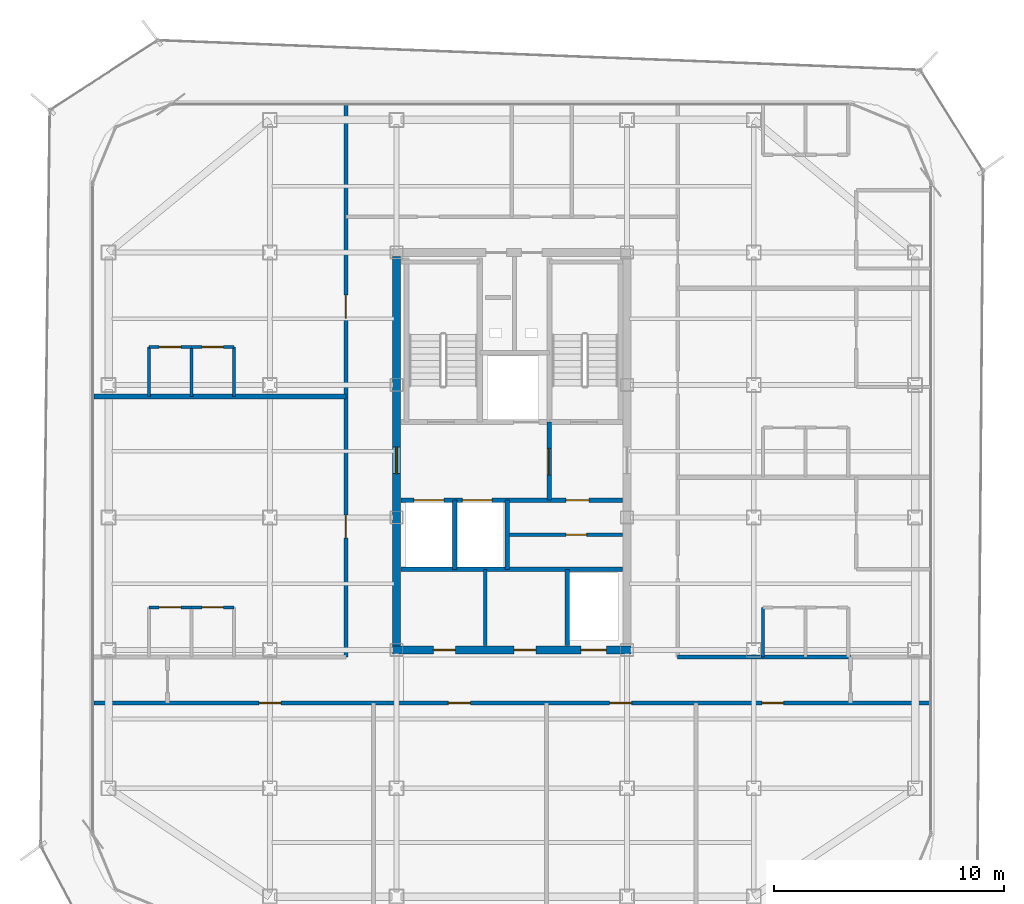
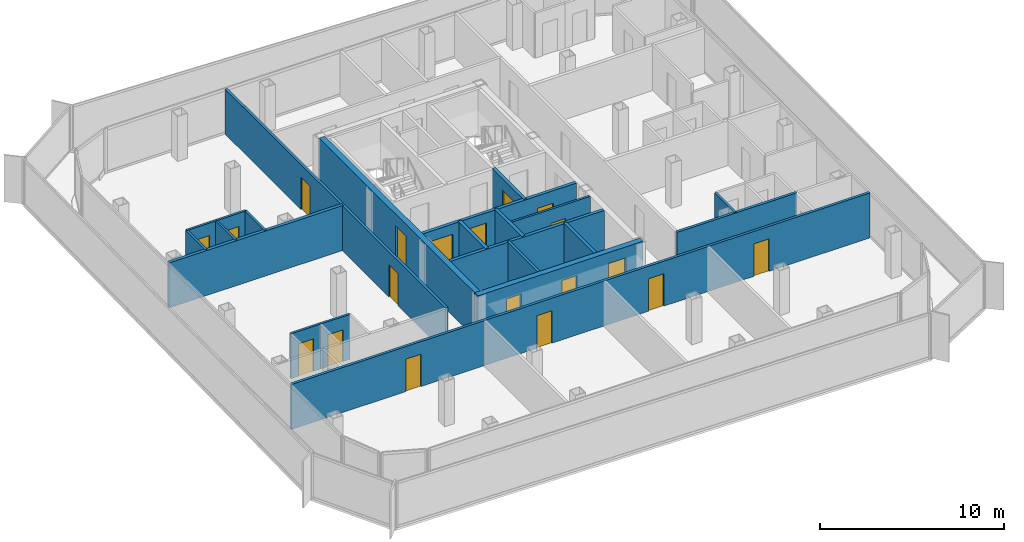
# One storey, part 10 of 15: 22 walls, 19 doors, 19 openings.
"""IFC4 building model written with IfcOpenShell, lengths in metres."""

from ifc_helpers import new_model, si_unit, direction, frame, frame_2d, origin, place, context, subcontext, project, spatial, rectangle, extrude, material, layer, layer_set, type_object, element, fill, save


model = new_model("IFC4")

# Units and contexts
model_context = context("Model", 3, precision=1e-05, world=origin(), true_north=direction((0.0, 1.0)))
body_context = subcontext(model_context, "Body", "Model", "MODEL_VIEW")
ifc_project = project(units=[si_unit("LENGTHUNIT", "METRE"), si_unit("AREAUNIT", "SQUARE_METRE"), si_unit("VOLUMEUNIT", "CUBIC_METRE"), si_unit("PLANEANGLEUNIT", "RADIAN"), si_unit("MASSUNIT", "GRAM", prefix="KILO")], contexts=[model_context])

# Site, building, storey
site_placement = place(None, origin())
site = spatial("IfcSite", under=ifc_project, at=site_placement, CompositionType="ELEMENT")
building_placement = place(site_placement, origin())
building = spatial("IfcBuilding", under=site, at=building_placement, Name="Kolveth Station Tower", CompositionType="ELEMENT")
storey_placement = place(building_placement, frame((0.0, 0.0, 245.699951171875)))
storey = spatial("IfcBuildingStorey", under=building, at=storey_placement, Name="L70", CompositionType="ELEMENT", Elevation=245.699951171875)

# Wall, openings, doors
ifc_material_1 = material(Name="Concrete C50/60", Category="concrete")
ifc_layer_1 = layer(ifc_material_1, 0.35009765625)
ifc_layer_set_1 = layer_set([ifc_layer_1], Name="Concrete C50/60")
wall_type_1 = type_object("IfcWallType", Name="Wall_CW-350", PredefinedType="SHEAR", material=ifc_layer_set_1)
wall_1_placement = place(storey_placement, frame((18.324951171875, 11.5, 0.0), z_axis=(0.0, 0.0, 1.0), x_axis=(1.0, 0.0, 0.0)))
wall_1 = element("IfcWall", 1, at=wall_1_placement, inside=storey, type_object=wall_type_1, Name="L70 Core RC Shear Wall S", PredefinedType="SHEAR", context=body_context, shape_type="SweptSolid", body=[
    extrude(rectangle(XDim=10.35009765625, YDim=0.35009765625, at=frame_2d((5.175048828125, 0.0))), origin(), (0.0, 0.0, 1.0), 2.97998046875),
])
opening_1_placement = place(wall_1_placement, frame((1.77490234375, 0.0, 0.0)))
opening_1 = element("IfcOpeningElement", 2, at=opening_1_placement, cuts=wall_1, Name="Opening ID1", PredefinedType="OPENING", context=body_context, shape_type="SweptSolid", body=[
    extrude(rectangle(XDim=0.949951171875, YDim=2.14990234375, at=frame_2d((0.47509765625, 1.074951171875))), frame((0.0, 0.18505859375, 0.0), z_axis=(0.0, -1.0, 0.0), x_axis=(1.0, 0.0, 0.0)), (0.0, 0.0, 1.0), 0.3701171875),
])
opening_2_placement = place(wall_1_placement, frame((5.27490234375, 0.0, 0.0)))
opening_2 = element("IfcOpeningElement", 3, at=opening_2_placement, cuts=wall_1, Name="Opening ID1", PredefinedType="OPENING", context=body_context, shape_type="SweptSolid", body=[
    extrude(rectangle(XDim=0.949951171875, YDim=2.14990234375, at=frame_2d((0.47509765625, 1.074951171875))), frame((0.0, 0.18505859375, 0.0), z_axis=(0.0, -1.0, 0.0), x_axis=(1.0, 0.0, 0.0)), (0.0, 0.0, 1.0), 0.3701171875),
])
opening_3_placement = place(wall_1_placement, frame((8.175048828125, 0.0, 0.0)))
opening_3 = element("IfcOpeningElement", 4, at=opening_3_placement, cuts=wall_1, Name="Opening LD1", PredefinedType="OPENING", context=body_context, shape_type="SweptSolid", body=[
    extrude(rectangle(XDim=1.10009765625, YDim=2.25, at=frame_2d((0.550048828125, 1.125))), frame((0.0, 0.18505859375, 0.0), z_axis=(0.0, -1.0, 0.0), x_axis=(1.0, 0.0, 0.0)), (0.0, 0.0, 1.0), 0.3701171875),
])
ifc_material_2 = material(Name="Acoustic hardwood leaf and aluminium frame", Category="wood")
door_type_1 = type_object("IfcDoorType", Name="Door_ID1", OperationType="NOTDEFINED", PredefinedType="DOOR", material=ifc_material_2)
door_1_placement = place(opening_1_placement, frame((0.949951171875, 0.0, 0.0), z_axis=(0.0, 0.0, 1.0), x_axis=(-1.0, 0.0, 0.0)))
door_1 = element("IfcDoor", 5, at=door_1_placement, inside=storey, type_object=door_type_1, Name="L70 Laundry Room Door", OperationType="SINGLE_SWING_RIGHT", OverallHeight=2.14990234375, OverallWidth=0.949951171875, PredefinedType="DOOR", context=body_context, shape_type="SweptSolid", body=[
    extrude(rectangle(XDim=0.949951171875, YDim=2.14990234375, at=frame_2d((0.47509765625, 1.074951171875))), frame((0.0, 0.02490234375, 0.0), z_axis=(0.0, -1.0, 0.0), x_axis=(1.0, 0.0, 0.0)), (0.0, 0.0, 1.0), 0.050048828125),
])
fill(opening_1, door_1)
door_2_placement = place(opening_2_placement, frame((0.949951171875, 0.0, 0.0), z_axis=(0.0, 0.0, 1.0), x_axis=(-1.0, 0.0, 0.0)))
door_2 = element("IfcDoor", 6, at=door_2_placement, inside=storey, type_object=door_type_1, Name="L70 Parcel Room Door", OperationType="SINGLE_SWING_LEFT", OverallHeight=2.14990234375, OverallWidth=0.949951171875, PredefinedType="DOOR", context=body_context, shape_type="SweptSolid", body=[
    extrude(rectangle(XDim=0.949951171875, YDim=2.14990234375, at=frame_2d((0.47509765625, 1.074951171875))), frame((0.0, 0.02490234375, 0.0), z_axis=(0.0, -1.0, 0.0), x_axis=(1.0, 0.0, 0.0)), (0.0, 0.0, 1.0), 0.050048828125),
])
fill(opening_2, door_2)
ifc_material_3 = material(Name="Brushed stainless steel sliding landing doors", Category="steel")
door_type_2 = type_object("IfcDoorType", Name="Door_LD1", OperationType="NOTDEFINED", PredefinedType="DOOR", material=ifc_material_3)
door_3_placement = place(opening_3_placement, frame((1.10009765625, 0.0, 0.0), z_axis=(0.0, 0.0, 1.0), x_axis=(-1.0, 0.0, 0.0)))
door_3 = element("IfcDoor", 7, at=door_3_placement, inside=storey, type_object=door_type_2, Name="L70 Lift PH1 Landing Door", OperationType="DOUBLE_DOOR_SLIDING", OverallHeight=2.25, OverallWidth=1.10009765625, PredefinedType="DOOR", context=body_context, shape_type="SweptSolid", body=[
    extrude(rectangle(XDim=1.10009765625, YDim=2.25, at=frame_2d((0.550048828125, 1.125))), frame((0.0, 0.02490234375, 0.0), z_axis=(0.0, -1.0, 0.0), x_axis=(1.0, 0.0, 0.0)), (0.0, 0.0, 1.0), 0.050048828125),
])
fill(opening_3, door_3)

# Wall, opening, door
wall_2_placement = place(storey_placement, frame((18.5, 11.675048828125, 0.0), z_axis=(0.0, 0.0, 1.0), x_axis=(0.0, 1.0, 0.0)))
wall_2 = element("IfcWall", 8, at=wall_2_placement, inside=storey, type_object=wall_type_1, Name="L70 Core RC Shear Wall W", PredefinedType="SHEAR", context=body_context, shape_type="SweptSolid", body=[
    extrude(rectangle(XDim=16.89990234375, YDim=0.35009765625, at=frame_2d((8.449951171875, 0.0))), origin(), (0.0, 0.0, 1.0), 2.97998046875),
])
opening_4_placement = place(wall_2_placement, frame((7.47509765625, 0.0, 0.0)))
opening_4 = element("IfcOpeningElement", 9, at=opening_4_placement, cuts=wall_2, Name="Opening FD1", PredefinedType="OPENING", context=body_context, shape_type="SweptSolid", body=[
    extrude(rectangle(XDim=1.14990234375, YDim=2.199951171875, at=frame_2d((0.574951171875, 1.10009765625))), frame((0.0, 0.18505859375, 0.0), z_axis=(0.0, -1.0, 0.0), x_axis=(1.0, 0.0, 0.0)), (0.0, 0.0, 1.0), 0.3701171875),
])
ifc_material_4 = material(Name="Fire-rated Steel S355 leaf and frame", Category="steel")
door_type_3 = type_object("IfcDoorType", Name="Door_FD1", OperationType="NOTDEFINED", PredefinedType="DOOR", material=ifc_material_4)
door_4_placement = place(opening_4_placement, frame((1.14990234375, 0.0, 0.0), z_axis=(0.0, 0.0, 1.0), x_axis=(-1.0, 0.0, 0.0)))
door_4 = element("IfcDoor", 10, at=door_4_placement, inside=storey, type_object=door_type_3, Name="L70 West Corridor to Firefighting Lobby Door", OperationType="SINGLE_SWING_RIGHT", OverallHeight=2.199951171875, OverallWidth=1.14990234375, PredefinedType="DOOR", context=body_context, shape_type="SweptSolid", body=[
    extrude(rectangle(XDim=1.14990234375, YDim=2.199951171875, at=frame_2d((0.574951171875, 1.10009765625))), frame((0.0, 0.02490234375, 0.0), z_axis=(0.0, -1.0, 0.0), x_axis=(1.0, 0.0, 0.0)), (0.0, 0.0, 1.0), 0.050048828125),
])
fill(opening_4, door_4)

ifc_material_5 = material(Name="Moisture-resistant gypsum partition")
ifc_layer_2 = layer(ifc_material_5, 0.135009765625)
ifc_layer_set_2 = layer_set([ifc_layer_2], Name="Moisture-resistant gypsum partition")
wall_type_2 = type_object("IfcWallType", Name="Wall_IW-135", PredefinedType="PARTITIONING", material=ifc_layer_set_2)
wall_3_placement = place(storey_placement, frame((23.300048828125, 16.5, 0.0), z_axis=(0.0, 0.0, 1.0), x_axis=(1.0, 0.0, 0.0)))
wall_3 = element("IfcWall", 11, at=wall_3_placement, inside=storey, type_object=wall_type_2, Name="L70 Partition Wall WL-L70-CB-H1", PredefinedType="PARTITIONING", context=body_context, shape_type="SweptSolid", body=[
    extrude(rectangle(XDim=5.014892578125, YDim=0.135009765625, at=frame_2d((2.50732421875, 0.0))), origin(), (0.0, 0.0, 1.0), 2.97998046875),
])
opening_5_placement = place(wall_3_placement, frame((2.550048828125, 0.0, 0.0)))
opening_5 = element("IfcOpeningElement", 12, at=opening_5_placement, cuts=wall_3, Name="Opening RD1", PredefinedType="OPENING", context=body_context, shape_type="SweptSolid", body=[
    extrude(rectangle(XDim=0.89990234375, YDim=2.050048828125, at=frame_2d((0.449951171875, 1.02490234375))), frame((0.0, 0.077392578125, 0.0), z_axis=(0.0, -1.0, 0.0), x_axis=(1.0, 0.0, 0.0)), (0.0, 0.0, 1.0), 0.155029296875),
])
ifc_material_6 = material(Name="Fire-rated Steel S355 riser access leaf", Category="steel")
door_type_4 = type_object("IfcDoorType", Name="Door_RD1", OperationType="NOTDEFINED", PredefinedType="DOOR", material=ifc_material_6)
door_5_placement = place(opening_5_placement, frame((0.89990234375, 0.0, 0.0), z_axis=(0.0, 0.0, 1.0), x_axis=(-1.0, 0.0, 0.0)))
door_5 = element("IfcDoor", 13, at=door_5_placement, inside=storey, type_object=door_type_4, Name="L70 Core Equipment Store Door", OperationType="SINGLE_SWING_LEFT", OverallHeight=2.050048828125, OverallWidth=0.89990234375, PredefinedType="DOOR", context=body_context, shape_type="SweptSolid", body=[
    extrude(rectangle(XDim=0.89990234375, YDim=2.050048828125, at=frame_2d((0.449951171875, 1.02490234375))), frame((0.0, 0.02490234375, 0.0), z_axis=(0.0, -1.0, 0.0), x_axis=(1.0, 0.0, 0.0)), (0.0, 0.0, 1.0), 0.050048828125),
])
fill(opening_5, door_5)

wall_4_placement = place(storey_placement, frame((7.75, 13.35009765625, 0.0), z_axis=(0.0, 0.0, 1.0), x_axis=(1.0, 0.0, 0.0)))
wall_4 = element("IfcWall", 14, at=wall_4_placement, inside=storey, type_object=wall_type_2, Name="L70 Partition Wall WL-L70-W1-IBHK", PredefinedType="PARTITIONING", context=body_context, shape_type="SweptSolid", body=[
    extrude(rectangle(XDim=1.85009765625, YDim=0.135009765625, at=frame_2d((0.925048828125, 0.0))), origin(), (0.0, 0.0, 1.0), 2.97998046875),
])
opening_6_placement = place(wall_4_placement, frame((0.445068359375, 0.0, 0.0)))
opening_6 = element("IfcOpeningElement", 15, at=opening_6_placement, cuts=wall_4, Name="Opening ID1", PredefinedType="OPENING", context=body_context, shape_type="SweptSolid", body=[
    extrude(rectangle(XDim=0.949951171875, YDim=2.14990234375, at=frame_2d((0.47509765625, 1.074951171875))), frame((0.0, 0.077392578125, 0.0), z_axis=(0.0, -1.0, 0.0), x_axis=(1.0, 0.0, 0.0)), (0.0, 0.0, 1.0), 0.155029296875),
])
door_6_placement = place(opening_6_placement, origin())
door_6 = element("IfcDoor", 16, at=door_6_placement, inside=storey, type_object=door_type_1, Name="Penthouse Flat L70-W1 Kitchen Door", OperationType="SINGLE_SWING_LEFT", OverallHeight=2.14990234375, OverallWidth=0.949951171875, PredefinedType="DOOR", context=body_context, shape_type="SweptSolid", body=[
    extrude(rectangle(XDim=0.949951171875, YDim=2.14990234375, at=frame_2d((0.47509765625, 1.074951171875))), frame((0.0, 0.02490234375, 0.0), z_axis=(0.0, -1.0, 0.0), x_axis=(1.0, 0.0, 0.0)), (0.0, 0.0, 1.0), 0.050048828125),
])
fill(opening_6, door_6)

wall_5_placement = place(storey_placement, frame((9.60009765625, 13.35009765625, 0.0), z_axis=(0.0, 0.0, 1.0), x_axis=(1.0, 0.0, 0.0)))
wall_5 = element("IfcWall", 17, at=wall_5_placement, inside=storey, type_object=wall_type_2, Name="L70 Partition Wall WL-L70-W1-IBHB", PredefinedType="PARTITIONING", context=body_context, shape_type="SweptSolid", body=[
    extrude(rectangle(XDim=1.849853515625, YDim=0.135009765625, at=frame_2d((0.9248046875, 0.0))), origin(), (0.0, 0.0, 1.0), 2.97998046875),
])
opening_7_placement = place(wall_5_placement, frame((0.465087890625, 0.0, 0.0)))
opening_7 = element("IfcOpeningElement", 18, at=opening_7_placement, cuts=wall_5, Name="Opening ID2", PredefinedType="OPENING", context=body_context, shape_type="SweptSolid", body=[
    extrude(rectangle(XDim=0.919921875, YDim=2.10009765625, at=frame_2d((0.4599609375, 1.050048828125))), frame((0.0, 0.077392578125, 0.0), z_axis=(0.0, -1.0, 0.0), x_axis=(1.0, 0.0, 0.0)), (0.0, 0.0, 1.0), 0.155029296875),
])
ifc_material_7 = material(Name="Moisture-resistant hardwood leaf", Category="wood")
door_type_5 = type_object("IfcDoorType", Name="Door_ID2", OperationType="NOTDEFINED", PredefinedType="DOOR", material=ifc_material_7)
door_7_placement = place(opening_7_placement, origin())
door_7 = element("IfcDoor", 19, at=door_7_placement, inside=storey, type_object=door_type_5, Name="Penthouse Flat L70-W1 Bathroom Door", OperationType="SINGLE_SWING_LEFT", OverallHeight=2.10009765625, OverallWidth=0.919921875, PredefinedType="DOOR", context=body_context, shape_type="SweptSolid", body=[
    extrude(rectangle(XDim=0.919921875, YDim=2.10009765625, at=frame_2d((0.4599609375, 1.050048828125))), frame((0.0, 0.02490234375, 0.0), z_axis=(0.0, -1.0, 0.0), x_axis=(1.0, 0.0, 0.0)), (0.0, 0.0, 1.0), 0.050048828125),
])
fill(opening_7, door_7)

wall_6_placement = place(storey_placement, frame((7.75, 24.64990234375, 0.0), z_axis=(0.0, 0.0, 1.0), x_axis=(1.0, 0.0, 0.0)))
wall_6 = element("IfcWall", 20, at=wall_6_placement, inside=storey, type_object=wall_type_2, Name="L70 Partition Wall WL-L70-W2-IBHK", PredefinedType="PARTITIONING", context=body_context, shape_type="SweptSolid", body=[
    extrude(rectangle(XDim=1.85009765625, YDim=0.135009765625, at=frame_2d((0.925048828125, 0.0))), origin(), (0.0, 0.0, 1.0), 2.97998046875),
])
opening_8_placement = place(wall_6_placement, frame((0.445068359375, 0.0, 0.0)))
opening_8 = element("IfcOpeningElement", 21, at=opening_8_placement, cuts=wall_6, Name="Opening ID1", PredefinedType="OPENING", context=body_context, shape_type="SweptSolid", body=[
    extrude(rectangle(XDim=0.949951171875, YDim=2.14990234375, at=frame_2d((0.47509765625, 1.074951171875))), frame((0.0, 0.077392578125, 0.0), z_axis=(0.0, -1.0, 0.0), x_axis=(1.0, 0.0, 0.0)), (0.0, 0.0, 1.0), 0.155029296875),
])
door_8_placement = place(opening_8_placement, origin())
door_8 = element("IfcDoor", 22, at=door_8_placement, inside=storey, type_object=door_type_1, Name="Penthouse Flat L70-W2 Kitchen Door", OperationType="SINGLE_SWING_LEFT", OverallHeight=2.14990234375, OverallWidth=0.949951171875, PredefinedType="DOOR", context=body_context, shape_type="SweptSolid", body=[
    extrude(rectangle(XDim=0.949951171875, YDim=2.14990234375, at=frame_2d((0.47509765625, 1.074951171875))), frame((0.0, 0.02490234375, 0.0), z_axis=(0.0, -1.0, 0.0), x_axis=(1.0, 0.0, 0.0)), (0.0, 0.0, 1.0), 0.050048828125),
])
fill(opening_8, door_8)

wall_7_placement = place(storey_placement, frame((9.60009765625, 24.64990234375, 0.0), z_axis=(0.0, 0.0, 1.0), x_axis=(1.0, 0.0, 0.0)))
wall_7 = element("IfcWall", 23, at=wall_7_placement, inside=storey, type_object=wall_type_2, Name="L70 Partition Wall WL-L70-W2-IBHB", PredefinedType="PARTITIONING", context=body_context, shape_type="SweptSolid", body=[
    extrude(rectangle(XDim=1.849853515625, YDim=0.135009765625, at=frame_2d((0.9248046875, 0.0))), origin(), (0.0, 0.0, 1.0), 2.97998046875),
])
opening_9_placement = place(wall_7_placement, frame((0.465087890625, 0.0, 0.0)))
opening_9 = element("IfcOpeningElement", 24, at=opening_9_placement, cuts=wall_7, Name="Opening ID2", PredefinedType="OPENING", context=body_context, shape_type="SweptSolid", body=[
    extrude(rectangle(XDim=0.919921875, YDim=2.10009765625, at=frame_2d((0.4599609375, 1.050048828125))), frame((0.0, 0.077392578125, 0.0), z_axis=(0.0, -1.0, 0.0), x_axis=(1.0, 0.0, 0.0)), (0.0, 0.0, 1.0), 0.155029296875),
])
door_9_placement = place(opening_9_placement, origin())
door_9 = element("IfcDoor", 25, at=door_9_placement, inside=storey, type_object=door_type_5, Name="Penthouse Flat L70-W2 Bathroom Door", OperationType="SINGLE_SWING_RIGHT", OverallHeight=2.10009765625, OverallWidth=0.919921875, PredefinedType="DOOR", context=body_context, shape_type="SweptSolid", body=[
    extrude(rectangle(XDim=0.919921875, YDim=2.10009765625, at=frame_2d((0.4599609375, 1.050048828125))), frame((0.0, 0.02490234375, 0.0), z_axis=(0.0, -1.0, 0.0), x_axis=(1.0, 0.0, 0.0)), (0.0, 0.0, 1.0), 0.050048828125),
])
fill(opening_9, door_9)

# Walls
for number, where, z_axis, x_axis, name in (
    (26, (7.75, 22.5, 0.0), (0.0, 0.0, 1.0), (0.0, 1.0, 0.0), "L70 Partition Wall WL-L70-W2-IBV0"),
    (27, (9.60009765625, 22.5, 0.0), (0.0, 0.0, 1.0), (0.0, 1.0, 0.0), "L70 Partition Wall WL-L70-W2-IBV1"),
    (28, (11.449951171875, 22.5, 0.0), (0.0, 0.0, 1.0), (0.0, 1.0, 0.0), "L70 Partition Wall WL-L70-W2-IBV2"),
):
    element("IfcWall", number, at=place(storey_placement, frame(where, z_axis=z_axis, x_axis=x_axis)), inside=storey, type_object=wall_type_2, Name=name, PredefinedType="PARTITIONING", context=body_context, shape_type="SweptSolid", body=[
        extrude(rectangle(XDim=2.14990234375, YDim=0.135009765625, at=frame_2d((1.074951171875, 0.0))), origin(), (0.0, 0.0, 1.0), 2.97998046875),
    ])
wall_8_placement = place(storey_placement, frame((34.39990234375, 11.199951171875, 0.0), z_axis=(0.0, 0.0, 1.0), x_axis=(0.0, 1.0, 0.0)))
element("IfcWall", 29, at=wall_8_placement, inside=storey, type_object=wall_type_2, Name="L70 Partition Wall WL-L70-E1-IBV0", PredefinedType="PARTITIONING", context=body_context, shape_type="SweptSolid", body=[
    extrude(rectangle(XDim=2.150146484375, YDim=0.135009765625, at=frame_2d((1.0751953125, 0.0))), origin(), (0.0, 0.0, 1.0), 2.97998046875),
])
ifc_material_8 = material(Name="Acoustic double-stud gypsum partition")
ifc_layer_3 = layer(ifc_material_8, 0.1650390625)
ifc_layer_set_3 = layer_set([ifc_layer_3], Name="Acoustic double-stud gypsum partition")
wall_type_3 = type_object("IfcWallType", Name="Wall_IW-165", PredefinedType="PARTITIONING", material=ifc_layer_set_3)
wall_9_placement = place(storey_placement, frame((22.35009765625, 11.68505859375, 0.0), z_axis=(0.0, 0.0, 1.0), x_axis=(0.0, 1.0, 0.0)))
element("IfcWall", 30, at=wall_9_placement, inside=storey, type_object=wall_type_3, Name="L70 Partition Wall WL-L70-FR-M", PredefinedType="PARTITIONING", context=body_context, shape_type="SweptSolid", body=[
    extrude(rectangle(XDim=3.31494140625, YDim=0.1650390625, at=frame_2d((1.657470703125, 0.0))), origin(), (0.0, 0.0, 1.0), 2.97998046875),
])

# Wall, openings, doors
wall_10_placement = place(storey_placement, frame((5.360107421875, 9.199951171875, 0.0), z_axis=(0.0, 0.0, 1.0), x_axis=(1.0, 0.0, 0.0)))
wall_10 = element("IfcWall", 31, at=wall_10_placement, inside=storey, type_object=wall_type_3, Name="L70 Partition Wall WL-L70-RS", PredefinedType="PARTITIONING", context=body_context, shape_type="SweptSolid", body=[
    extrude(rectangle(XDim=36.27978515625, YDim=0.1650390625, at=frame_2d((18.139892578125, 0.0))), origin(), (0.0, 0.0, 1.0), 2.97998046875),
])
opening_10_placement = place(wall_10_placement, frame((7.169921875, 0.0, 0.0)))
opening_10 = element("IfcOpeningElement", 32, at=opening_10_placement, cuts=wall_10, Name="Opening ID1", PredefinedType="OPENING", context=body_context, shape_type="SweptSolid", body=[
    extrude(rectangle(XDim=0.949951171875, YDim=2.14990234375, at=frame_2d((0.47509765625, 1.074951171875))), frame((0.0, 0.092529296875, 0.0), z_axis=(0.0, -1.0, 0.0), x_axis=(1.0, 0.0, 0.0)), (0.0, 0.0, 1.0), 0.18505859375),
])
opening_11_placement = place(wall_10_placement, frame((15.389892578125, 0.0, 0.0)))
opening_11 = element("IfcOpeningElement", 33, at=opening_11_placement, cuts=wall_10, Name="Opening ID1", PredefinedType="OPENING", context=body_context, shape_type="SweptSolid", body=[
    extrude(rectangle(XDim=0.949951171875, YDim=2.14990234375, at=frame_2d((0.47509765625, 1.074951171875))), frame((0.0, 0.092529296875, 0.0), z_axis=(0.0, -1.0, 0.0), x_axis=(1.0, 0.0, 0.0)), (0.0, 0.0, 1.0), 0.18505859375),
])
opening_12_placement = place(wall_10_placement, frame((22.389892578125, 0.0, 0.0)))
opening_12 = element("IfcOpeningElement", 34, at=opening_12_placement, cuts=wall_10, Name="Opening ID1", PredefinedType="OPENING", context=body_context, shape_type="SweptSolid", body=[
    extrude(rectangle(XDim=0.949951171875, YDim=2.14990234375, at=frame_2d((0.47509765625, 1.074951171875))), frame((0.0, 0.092529296875, 0.0), z_axis=(0.0, -1.0, 0.0), x_axis=(1.0, 0.0, 0.0)), (0.0, 0.0, 1.0), 0.18505859375),
])
opening_13_placement = place(wall_10_placement, frame((28.989990234375, 0.0, 0.0)))
opening_13 = element("IfcOpeningElement", 35, at=opening_13_placement, cuts=wall_10, Name="Opening ID1", PredefinedType="OPENING", context=body_context, shape_type="SweptSolid", body=[
    extrude(rectangle(XDim=0.949951171875, YDim=2.14990234375, at=frame_2d((0.47509765625, 1.074951171875))), frame((0.0, 0.092529296875, 0.0), z_axis=(0.0, -1.0, 0.0), x_axis=(1.0, 0.0, 0.0)), (0.0, 0.0, 1.0), 0.18505859375),
])
door_10_placement = place(opening_10_placement, frame((0.949951171875, 0.0, 0.0), z_axis=(0.0, 0.0, 1.0), x_axis=(-1.0, 0.0, 0.0)))
door_10 = element("IfcDoor", 36, at=door_10_placement, inside=storey, type_object=door_type_1, Name="L70 Residents' Co-Working Office 1 Door", OperationType="SINGLE_SWING_RIGHT", OverallHeight=2.14990234375, OverallWidth=0.949951171875, PredefinedType="DOOR", context=body_context, shape_type="SweptSolid", body=[
    extrude(rectangle(XDim=0.949951171875, YDim=2.14990234375, at=frame_2d((0.47509765625, 1.074951171875))), frame((0.0, 0.02490234375, 0.0), z_axis=(0.0, -1.0, 0.0), x_axis=(1.0, 0.0, 0.0)), (0.0, 0.0, 1.0), 0.050048828125),
])
fill(opening_10, door_10)
door_11_placement = place(opening_11_placement, frame((0.949951171875, 0.0, 0.0), z_axis=(0.0, 0.0, 1.0), x_axis=(-1.0, 0.0, 0.0)))
door_11 = element("IfcDoor", 37, at=door_11_placement, inside=storey, type_object=door_type_1, Name="L70 Residents' Co-Working Office 2 Door", OperationType="SINGLE_SWING_LEFT", OverallHeight=2.14990234375, OverallWidth=0.949951171875, PredefinedType="DOOR", context=body_context, shape_type="SweptSolid", body=[
    extrude(rectangle(XDim=0.949951171875, YDim=2.14990234375, at=frame_2d((0.47509765625, 1.074951171875))), frame((0.0, 0.02490234375, 0.0), z_axis=(0.0, -1.0, 0.0), x_axis=(1.0, 0.0, 0.0)), (0.0, 0.0, 1.0), 0.050048828125),
])
fill(opening_11, door_11)
door_12_placement = place(opening_12_placement, frame((0.949951171875, 0.0, 0.0), z_axis=(0.0, 0.0, 1.0), x_axis=(-1.0, 0.0, 0.0)))
door_12 = element("IfcDoor", 38, at=door_12_placement, inside=storey, type_object=door_type_1, Name="L70 Residents' Meeting Room 1 Door", OperationType="SINGLE_SWING_RIGHT", OverallHeight=2.14990234375, OverallWidth=0.949951171875, PredefinedType="DOOR", context=body_context, shape_type="SweptSolid", body=[
    extrude(rectangle(XDim=0.949951171875, YDim=2.14990234375, at=frame_2d((0.47509765625, 1.074951171875))), frame((0.0, 0.02490234375, 0.0), z_axis=(0.0, -1.0, 0.0), x_axis=(1.0, 0.0, 0.0)), (0.0, 0.0, 1.0), 0.050048828125),
])
fill(opening_12, door_12)
door_13_placement = place(opening_13_placement, frame((0.949951171875, 0.0, 0.0), z_axis=(0.0, 0.0, 1.0), x_axis=(-1.0, 0.0, 0.0)))
door_13 = element("IfcDoor", 39, at=door_13_placement, inside=storey, type_object=door_type_1, Name="L70 Residents' Meeting Room 2 Door", OperationType="SINGLE_SWING_LEFT", OverallHeight=2.14990234375, OverallWidth=0.949951171875, PredefinedType="DOOR", context=body_context, shape_type="SweptSolid", body=[
    extrude(rectangle(XDim=0.949951171875, YDim=2.14990234375, at=frame_2d((0.47509765625, 1.074951171875))), frame((0.0, 0.02490234375, 0.0), z_axis=(0.0, -1.0, 0.0), x_axis=(1.0, 0.0, 0.0)), (0.0, 0.0, 1.0), 0.050048828125),
])
fill(opening_13, door_13)

# Wall
wall_11_placement = place(storey_placement, frame((30.699951171875, 11.199951171875, 0.0), z_axis=(0.0, 0.0, 1.0), x_axis=(1.0, 0.0, 0.0)))
element("IfcWall", 40, at=wall_11_placement, inside=storey, type_object=wall_type_3, Name="L70 Partition Wall WL-L70-RSET", PredefinedType="PARTITIONING", context=body_context, shape_type="SweptSolid", body=[
    extrude(rectangle(XDim=7.5, YDim=0.1650390625, at=frame_2d((3.75, 0.0))), origin(), (0.0, 0.0, 1.0), 2.97998046875),
])

# Wall, openings, doors
wall_12_placement = place(storey_placement, frame((16.300048828125, 11.199951171875, 0.0), z_axis=(0.0, 0.0, 1.0), x_axis=(0.0, 1.0, 0.0)))
wall_12 = element("IfcWall", 41, at=wall_12_placement, inside=storey, type_object=wall_type_3, Name="L70 Partition Wall WL-L70-RW", PredefinedType="PARTITIONING", context=body_context, shape_type="SweptSolid", body=[
    extrude(rectangle(XDim=23.93994140625, YDim=0.1650390625, at=frame_2d((11.969970703125, 0.0))), origin(), (0.0, 0.0, 1.0), 2.97998046875),
])
opening_14_placement = place(wall_12_placement, frame((5.14990234375, 0.0, 0.0)))
opening_14 = element("IfcOpeningElement", 42, at=opening_14_placement, cuts=wall_12, Name="Opening FD3", PredefinedType="OPENING", context=body_context, shape_type="SweptSolid", body=[
    extrude(rectangle(XDim=1.0, YDim=2.14990234375, at=frame_2d((0.5, 1.074951171875))), frame((0.0, 0.092529296875, 0.0), z_axis=(0.0, -1.0, 0.0), x_axis=(1.0, 0.0, 0.0)), (0.0, 0.0, 1.0), 0.18505859375),
])
opening_15_placement = place(wall_12_placement, frame((14.699951171875, 0.0, 0.0)))
opening_15 = element("IfcOpeningElement", 43, at=opening_15_placement, cuts=wall_12, Name="Opening FD3", PredefinedType="OPENING", context=body_context, shape_type="SweptSolid", body=[
    extrude(rectangle(XDim=1.0, YDim=2.14990234375, at=frame_2d((0.5, 1.074951171875))), frame((0.0, 0.092529296875, 0.0), z_axis=(0.0, -1.0, 0.0), x_axis=(1.0, 0.0, 0.0)), (0.0, 0.0, 1.0), 0.18505859375),
])
ifc_material_9 = material(Name="Fire-rated hardwood leaf and aluminium frame", Category="wood")
door_type_6 = type_object("IfcDoorType", Name="Door_FD3", OperationType="NOTDEFINED", PredefinedType="DOOR", material=ifc_material_9)
door_14_placement = place(opening_14_placement, origin())
door_14 = element("IfcDoor", 44, at=door_14_placement, inside=storey, type_object=door_type_6, Name="Penthouse Flat L70-W1 Entrance Door", OperationType="SINGLE_SWING_RIGHT", OverallHeight=2.14990234375, OverallWidth=1.0, PredefinedType="DOOR", context=body_context, shape_type="SweptSolid", body=[
    extrude(rectangle(XDim=1.0, YDim=2.14990234375, at=frame_2d((0.5, 1.074951171875))), frame((0.0, 0.02490234375, 0.0), z_axis=(0.0, -1.0, 0.0), x_axis=(1.0, 0.0, 0.0)), (0.0, 0.0, 1.0), 0.050048828125),
])
fill(opening_14, door_14)
door_15_placement = place(opening_15_placement, origin())
door_15 = element("IfcDoor", 45, at=door_15_placement, inside=storey, type_object=door_type_6, Name="Penthouse Flat L70-W2 Entrance Door", OperationType="SINGLE_SWING_LEFT", OverallHeight=2.14990234375, OverallWidth=1.0, PredefinedType="DOOR", context=body_context, shape_type="SweptSolid", body=[
    extrude(rectangle(XDim=1.0, YDim=2.14990234375, at=frame_2d((0.5, 1.074951171875))), frame((0.0, 0.02490234375, 0.0), z_axis=(0.0, -1.0, 0.0), x_axis=(1.0, 0.0, 0.0)), (0.0, 0.0, 1.0), 0.050048828125),
])
fill(opening_15, door_15)

# Wall, opening, door
ifc_material_10 = material(Name="Acoustic fire-rated gypsum blockwork", Category="masonry")
ifc_layer_4 = layer(ifc_material_10, 0.199951171875)
ifc_layer_set_4 = layer_set([ifc_layer_4], Name="Acoustic fire-rated gypsum blockwork")
wall_type_4 = type_object("IfcWallType", Name="Wall_IW-200", PredefinedType="PARTITIONING", material=ifc_layer_set_4)
wall_13_placement = place(storey_placement, frame((25.1298828125, 18.0, 0.0), z_axis=(0.0, 0.0, 1.0), x_axis=(0.0, 1.0, 0.0)))
wall_13 = element("IfcWall", 46, at=wall_13_placement, inside=storey, type_object=wall_type_4, Name="L70 Partition Wall WL-L70-FFL-E", PredefinedType="PARTITIONING", context=body_context, shape_type="SweptSolid", body=[
    extrude(rectangle(XDim=3.389892578125, YDim=0.199951171875, at=frame_2d((1.69482421875, 0.0))), origin(), (0.0, 0.0, 1.0), 2.97998046875),
])
opening_16_placement = place(wall_13_placement, frame((1.10009765625, 0.0, 0.0)))
opening_16 = element("IfcOpeningElement", 47, at=opening_16_placement, cuts=wall_13, Name="Opening FD1", PredefinedType="OPENING", context=body_context, shape_type="SweptSolid", body=[
    extrude(rectangle(XDim=1.14990234375, YDim=2.199951171875, at=frame_2d((0.574951171875, 1.10009765625))), frame((0.0, 0.10986328125, 0.0), z_axis=(0.0, -1.0, 0.0), x_axis=(1.0, 0.0, 0.0)), (0.0, 0.0, 1.0), 0.219970703125),
])
door_16_placement = place(opening_16_placement, origin())
door_16 = element("IfcDoor", 48, at=door_16_placement, inside=storey, type_object=door_type_3, Name="L70 Firefighting to Stair Lobby Door", OperationType="SINGLE_SWING_LEFT", OverallHeight=2.199951171875, OverallWidth=1.14990234375, PredefinedType="DOOR", context=body_context, shape_type="SweptSolid", body=[
    extrude(rectangle(XDim=1.14990234375, YDim=2.199951171875, at=frame_2d((0.574951171875, 1.10009765625))), frame((0.0, 0.02490234375, 0.0), z_axis=(0.0, -1.0, 0.0), x_axis=(1.0, 0.0, 0.0)), (0.0, 0.0, 1.0), 0.050048828125),
])
fill(opening_16, door_16)

# Wall, openings, doors
wall_14_placement = place(storey_placement, frame((18.68505859375, 18.0, 0.0), z_axis=(0.0, 0.0, 1.0), x_axis=(1.0, 0.0, 0.0)))
wall_14 = element("IfcWall", 49, at=wall_14_placement, inside=storey, type_object=wall_type_4, Name="L70 Partition Wall WL-L70-FFL-S", PredefinedType="PARTITIONING", context=body_context, shape_type="SweptSolid", body=[
    extrude(rectangle(XDim=9.6298828125, YDim=0.199951171875, at=frame_2d((4.81494140625, 0.0))), origin(), (0.0, 0.0, 1.0), 2.97998046875),
])
opening_17_placement = place(wall_14_placement, frame((0.56494140625, 0.0, 0.0)))
opening_17 = element("IfcOpeningElement", 50, at=opening_17_placement, cuts=wall_14, Name="Opening LD2", PredefinedType="OPENING", context=body_context, shape_type="SweptSolid", body=[
    extrude(rectangle(XDim=1.300048828125, YDim=2.300048828125, at=frame_2d((0.64990234375, 1.14990234375))), frame((0.0, 0.10986328125, 0.0), z_axis=(0.0, -1.0, 0.0), x_axis=(1.0, 0.0, 0.0)), (0.0, 0.0, 1.0), 0.219970703125),
])
opening_18_placement = place(wall_14_placement, frame((2.6650390625, 0.0, 0.0)))
opening_18 = element("IfcOpeningElement", 51, at=opening_18_placement, cuts=wall_14, Name="Opening LD2", PredefinedType="OPENING", context=body_context, shape_type="SweptSolid", body=[
    extrude(rectangle(XDim=1.300048828125, YDim=2.300048828125, at=frame_2d((0.64990234375, 1.14990234375))), frame((0.0, 0.10986328125, 0.0), z_axis=(0.0, -1.0, 0.0), x_axis=(1.0, 0.0, 0.0)), (0.0, 0.0, 1.0), 0.219970703125),
])
opening_19_placement = place(wall_14_placement, frame((7.1650390625, 0.0, 0.0)))
opening_19 = element("IfcOpeningElement", 52, at=opening_19_placement, cuts=wall_14, Name="Opening FD3", PredefinedType="OPENING", context=body_context, shape_type="SweptSolid", body=[
    extrude(rectangle(XDim=1.0, YDim=2.14990234375, at=frame_2d((0.5, 1.074951171875))), frame((0.0, 0.10986328125, 0.0), z_axis=(0.0, -1.0, 0.0), x_axis=(1.0, 0.0, 0.0)), (0.0, 0.0, 1.0), 0.219970703125),
])
door_17_placement = place(opening_19_placement, frame((1.0, 0.0, 0.0), z_axis=(0.0, 0.0, 1.0), x_axis=(-1.0, 0.0, 0.0)))
door_17 = element("IfcDoor", 53, at=door_17_placement, inside=storey, type_object=door_type_6, Name="L70 Core Linen and Supply Store Door", OperationType="SINGLE_SWING_RIGHT", OverallHeight=2.14990234375, OverallWidth=1.0, PredefinedType="DOOR", context=body_context, shape_type="SweptSolid", body=[
    extrude(rectangle(XDim=1.0, YDim=2.14990234375, at=frame_2d((0.5, 1.074951171875))), frame((0.0, 0.02490234375, 0.0), z_axis=(0.0, -1.0, 0.0), x_axis=(1.0, 0.0, 0.0)), (0.0, 0.0, 1.0), 0.050048828125),
])
fill(opening_19, door_17)
ifc_material_11 = material(Name="Firefighting stainless steel sliding landing doors", Category="steel")
door_type_7 = type_object("IfcDoorType", Name="Door_LD2", OperationType="NOTDEFINED", PredefinedType="DOOR", material=ifc_material_11)
door_18_placement = place(opening_17_placement, origin())
door_18 = element("IfcDoor", 54, at=door_18_placement, inside=storey, type_object=door_type_7, Name="L70 Firefighting Lift FF1 Landing Door", OperationType="DOUBLE_DOOR_SLIDING", OverallHeight=2.300048828125, OverallWidth=1.300048828125, PredefinedType="DOOR", context=body_context, shape_type="SweptSolid", body=[
    extrude(rectangle(XDim=1.300048828125, YDim=2.300048828125, at=frame_2d((0.64990234375, 1.14990234375))), frame((0.0, 0.02490234375, 0.0), z_axis=(0.0, -1.0, 0.0), x_axis=(1.0, 0.0, 0.0)), (0.0, 0.0, 1.0), 0.050048828125),
])
fill(opening_17, door_18)
door_19_placement = place(opening_18_placement, origin())
door_19 = element("IfcDoor", 55, at=door_19_placement, inside=storey, type_object=door_type_7, Name="L70 Firefighting Lift FF2 Landing Door", OperationType="DOUBLE_DOOR_SLIDING", OverallHeight=2.300048828125, OverallWidth=1.300048828125, PredefinedType="DOOR", context=body_context, shape_type="SweptSolid", body=[
    extrude(rectangle(XDim=1.300048828125, YDim=2.300048828125, at=frame_2d((0.64990234375, 1.14990234375))), frame((0.0, 0.02490234375, 0.0), z_axis=(0.0, -1.0, 0.0), x_axis=(1.0, 0.0, 0.0)), (0.0, 0.0, 1.0), 0.050048828125),
])
fill(opening_18, door_19)

# Walls
for number, where, z_axis, x_axis, name in (
    (56, (21.02001953125, 15.0, 0.0), (0.0, 0.0, 1.0), (0.0, 1.0, 0.0), "L70 Partition Wall WL-L70-FF12"),
    (57, (23.300048828125, 15.0, 0.0), (0.0, 0.0, 1.0), (0.0, 1.0, 0.0), "L70 Partition Wall WL-L70-FF2E"),
):
    element("IfcWall", number, at=place(storey_placement, frame(where, z_axis=z_axis, x_axis=x_axis)), inside=storey, type_object=wall_type_4, Name=name, PredefinedType="PARTITIONING", context=body_context, shape_type="SweptSolid", body=[
        extrude(rectangle(XDim=3.0, YDim=0.199951171875, at=frame_2d((1.5, 0.0))), origin(), (0.0, 0.0, 1.0), 2.97998046875),
    ])
wall_15_placement = place(storey_placement, frame((18.68505859375, 15.0, 0.0), z_axis=(0.0, 0.0, 1.0), x_axis=(1.0, 0.0, 0.0)))
element("IfcWall", 58, at=wall_15_placement, inside=storey, type_object=wall_type_4, Name="L70 Partition Wall WL-L70-BOH-S", PredefinedType="PARTITIONING", context=body_context, shape_type="SweptSolid", body=[
    extrude(rectangle(XDim=9.6298828125, YDim=0.199951171875, at=frame_2d((4.81494140625, 0.0))), origin(), (0.0, 0.0, 1.0), 2.97998046875),
])
wall_16_placement = place(storey_placement, frame((25.89990234375, 11.68505859375, 0.0), z_axis=(0.0, 0.0, 1.0), x_axis=(0.0, 1.0, 0.0)))
element("IfcWall", 59, at=wall_16_placement, inside=storey, type_object=wall_type_4, Name="L70 Partition Wall WL-L70-PMPH", PredefinedType="PARTITIONING", context=body_context, shape_type="SweptSolid", body=[
    extrude(rectangle(XDim=3.31494140625, YDim=0.199951171875, at=frame_2d((1.657470703125, 0.0))), origin(), (0.0, 0.0, 1.0), 2.97998046875),
])
wall_17_placement = place(storey_placement, frame((5.360107421875, 22.5, 0.0), z_axis=(0.0, 0.0, 1.0), x_axis=(1.0, 0.0, 0.0)))
element("IfcWall", 60, at=wall_17_placement, inside=storey, type_object=wall_type_4, Name="L70 Partition Wall WL-L70-RWU-1", PredefinedType="PARTITIONING", context=body_context, shape_type="SweptSolid", body=[
    extrude(rectangle(XDim=10.93994140625, YDim=0.199951171875, at=frame_2d((5.469970703125, 0.0))), origin(), (0.0, 0.0, 1.0), 2.97998046875),
])

save(model, "model.ifc")
